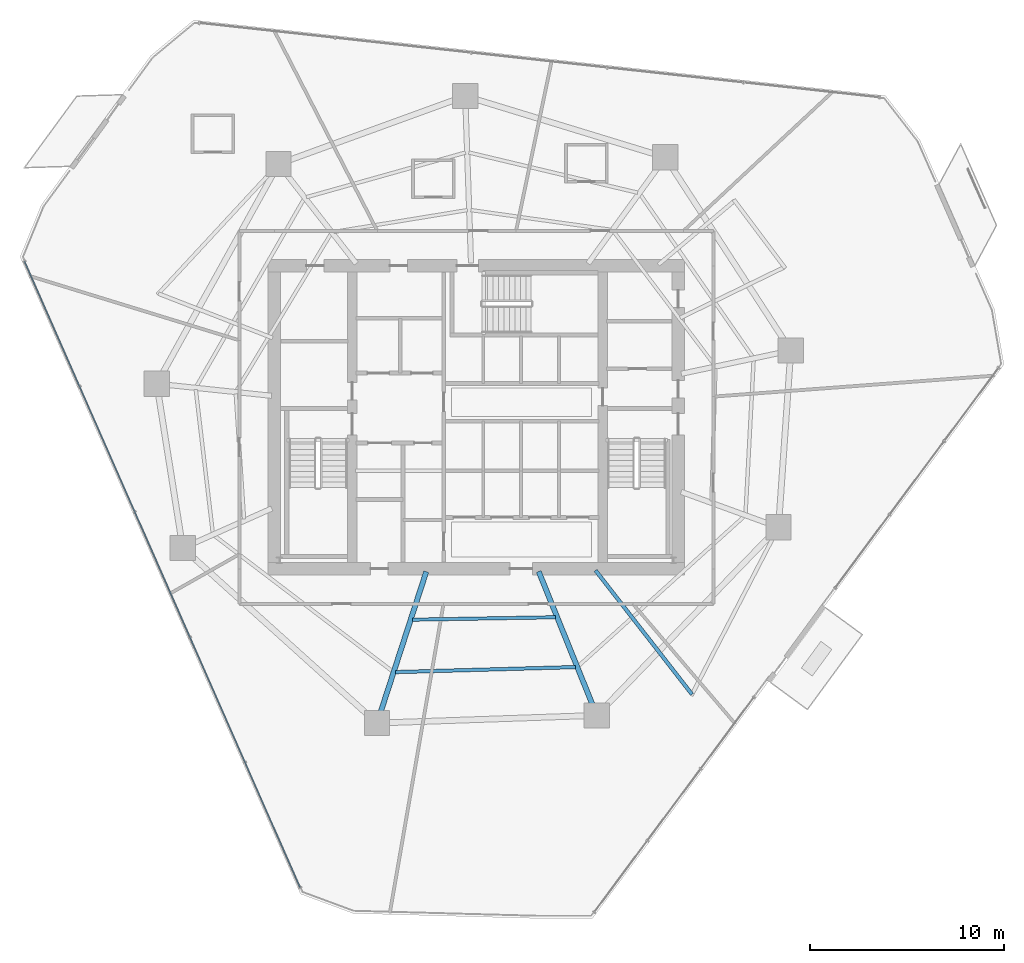
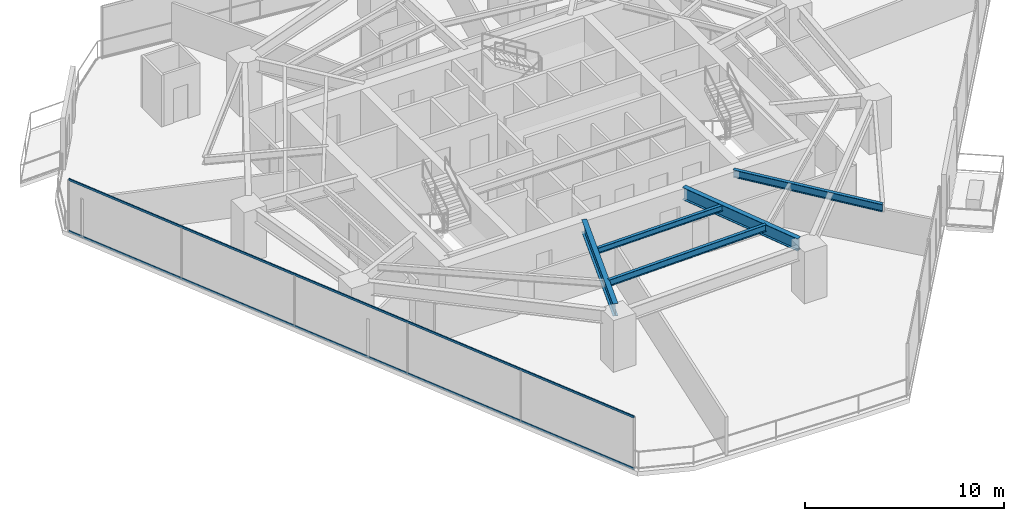
# One storey, part 6 of 28: 5 beams, 2 members, 1 element without a shape of its own.
"""IFC4 building model written with IfcOpenShell, lengths in metres."""

from ifc_helpers import new_model, si_unit, direction, frame, origin, origin_2d, place, context, subcontext, project, spatial, hollow_rectangle, i_section, extrude, material, layer, layer_set, material_profile, profile_set, type_object, element, aggregate, save


model = new_model("IFC4")

# Units and contexts
model_context = context("Model", 3, precision=1e-05, world=origin(), true_north=direction((0.0, 1.0)))
body_context = subcontext(model_context, "Body", "Model", "MODEL_VIEW")
ifc_project = project(units=[si_unit("LENGTHUNIT", "METRE"), si_unit("AREAUNIT", "SQUARE_METRE"), si_unit("VOLUMEUNIT", "CUBIC_METRE"), si_unit("PLANEANGLEUNIT", "RADIAN"), si_unit("MASSUNIT", "GRAM", prefix="KILO")], contexts=[model_context])

# Site, building, storey
site_placement = place(None, origin())
site = spatial("IfcSite", under=ifc_project, at=site_placement, CompositionType="ELEMENT")
building_placement = place(site_placement, origin())
building = spatial("IfcBuilding", under=site, at=building_placement, Name="Qarnah Convention Tower", CompositionType="ELEMENT")
storey_placement = place(building_placement, frame((0.0, 0.0, 44.25)))
storey = spatial("IfcBuildingStorey", under=building, at=storey_placement, Name="L10", CompositionType="ELEMENT", Elevation=44.25)

# Beams
ifc_material_1 = material(Name="Structural steel S355JR", Category="steel")
ifc_material_profile_1 = material_profile(ifc_material_1, i_section(OverallWidth=0.19189453125, OverallDepth=0.464111328125, WebThickness=0.010986328125, FlangeThickness=0.01806640625, at=origin_2d()), Name="W460X89")
ifc_profile_set_1 = profile_set([ifc_material_profile_1], Name="Structural steel S355JR")
beam_type_1 = type_object("IfcBeamType", Name="BM-CANT-W460A", PredefinedType="BEAM", material=ifc_profile_set_1)
beam_1_placement = place(storey_placement, frame((43.3310546875, 18.52099609375, 2.93798828125), z_axis=(0.61429570134, -0.789075909729, 0.0), x_axis=(0.789075909729, 0.61429570134, 0.0)))
element("IfcBeam", 1, at=beam_1_placement, inside=storey, type_object=beam_type_1, Name="L10 beam BM-L10-CNT-03-2", PredefinedType="BEAM", context=body_context, shape_type="SweptSolid", body=[
    extrude(i_section(OverallWidth=0.19189453125, OverallDepth=0.464111328125, WebThickness=0.010986328125, FlangeThickness=0.01806640625, at=origin_2d()), origin(), (0.0, 0.0, 1.0), 8.090576171875),
])
ifc_material_profile_2 = material_profile(ifc_material_1, i_section(OverallWidth=0.172119140625, OverallDepth=0.35595703125, WebThickness=0.007080078125, FlangeThickness=0.011962890625, at=origin_2d()), Name="W360X51")
ifc_profile_set_2 = profile_set([ifc_material_profile_2], Name="Structural steel S355JR")
beam_type_2 = type_object("IfcBeamType", Name="BM-JST-W360", PredefinedType="JOIST", material=ifc_profile_set_2)
beam_2_placement = place(storey_placement, frame((33.905029296875, 15.98193359375, 2.991943359375), z_axis=(0.9998536677, 0.017106816955, 0.0), x_axis=(-0.017106816955, 0.9998536677, 0.0)))
element("IfcBeam", 2, at=beam_2_placement, inside=storey, type_object=beam_type_2, Name="L10 joist BM-L10-IJST-07", PredefinedType="JOIST", context=body_context, shape_type="SweptSolid", body=[
    extrude(i_section(OverallWidth=0.172119140625, OverallDepth=0.35595703125, WebThickness=0.007080078125, FlangeThickness=0.011962890625, at=origin_2d()), origin(), (0.0, 0.0, 1.0), 7.364013671875),
])
ifc_material_profile_3 = material_profile(ifc_material_1, i_section(OverallWidth=0.177978515625, OverallDepth=0.407958984375, WebThickness=0.008056640625, FlangeThickness=0.012939453125, at=origin_2d()), Name="W410X60")
ifc_profile_set_3 = profile_set([ifc_material_profile_3], Name="Structural steel S355JR")
beam_type_3 = type_object("IfcBeamType", Name="BM-JST-W410", PredefinedType="JOIST", material=ifc_profile_set_3)
beam_3_placement = place(storey_placement, frame((33.027099609375, 13.282958984375, 2.966064453125), z_axis=(0.999610394183, 0.027911643461, 0.0), x_axis=(-0.027911643461, 0.999610394183, 0.0)))
element("IfcBeam", 3, at=beam_3_placement, inside=storey, type_object=beam_type_3, Name="L10 joist BM-L10-SJST-07", PredefinedType="JOIST", context=body_context, shape_type="SweptSolid", body=[
    extrude(i_section(OverallWidth=0.177978515625, OverallDepth=0.407958984375, WebThickness=0.008056640625, FlangeThickness=0.012939453125, at=origin_2d()), origin(), (0.0, 0.0, 1.0), 9.280517578125),
])
ifc_material_profile_4 = material_profile(ifc_material_1, i_section(OverallWidth=0.26806640625, OverallDepth=0.760009765625, WebThickness=0.014892578125, FlangeThickness=0.02197265625, at=origin_2d()), Name="W760X185")
ifc_profile_set_4 = profile_set([ifc_material_profile_4], Name="Structural steel S355JR")
beam_type_4 = type_object("IfcBeamType", Name="BM-RAD-W760", PredefinedType="BEAM", material=ifc_profile_set_4)
beam_4_placement = place(storey_placement, frame((34.6201171875, 18.45703125, 2.7900390625), z_axis=(-0.309057625925, -0.951043313345, 0.0), x_axis=(0.951043313345, -0.309057625925, 0.0)))
element("IfcBeam", 4, at=beam_4_placement, inside=storey, type_object=beam_type_4, Name="L10 beam BM-L10-RAD-07", PredefinedType="BEAM", context=body_context, shape_type="SweptSolid", body=[
    extrude(i_section(OverallWidth=0.26806640625, OverallDepth=0.760009765625, WebThickness=0.014892578125, FlangeThickness=0.02197265625, at=origin_2d()), origin(), (0.0, 0.0, 1.0), 7.568603515625),
])
beam_5_placement = place(storey_placement, frame((40.407958984375, 18.4609375, 2.7900390625), z_axis=(0.374586487969, -0.927191977441, 0.0), x_axis=(0.927191977441, 0.374586487969, 0.0)))
element("IfcBeam", 5, at=beam_5_placement, inside=storey, type_object=beam_type_4, Name="L10 beam BM-L10-RAD-08", PredefinedType="BEAM", context=body_context, shape_type="SweptSolid", body=[
    extrude(i_section(OverallWidth=0.26806640625, OverallDepth=0.760009765625, WebThickness=0.014892578125, FlangeThickness=0.02197265625, at=origin_2d()), origin(), (0.0, 0.0, 1.0), 7.357666015625),
])

# Curtain wall, members
ifc_material_2 = material(Name="Tempered Low-E dark glass", Category="glass")
ifc_layer = layer(ifc_material_2, 0.16796875)
ifc_layer_set = layer_set([ifc_layer], Name="Tempered Low-E dark glass")
curtain_wall_type = type_object("IfcCurtainWallType", Name="CWS-01", PredefinedType="NOTDEFINED", material=ifc_layer_set)
curtain_wall_placement = place(storey_placement, origin())
curtain_wall = element("IfcCurtainWall", 6, at=curtain_wall_placement, inside=storey, type_object=curtain_wall_type, Name="L10 unitised curtain wall CW-L10-F1", PredefinedType="NOTDEFINED")
ifc_material_3 = material(Name="Black anodised aluminium", Category="aluminium")
ifc_material_profile_5 = material_profile(ifc_material_3, hollow_rectangle(XDim=0.06005859375, YDim=0.1298828125, WallThickness=0.00390625, at=origin_2d()), Name="TRN-60X130")
ifc_profile_set_5 = profile_set([ifc_material_profile_5], Name="Black anodised aluminium")
member_type = type_object("IfcMemberType", Name="TRN-T1", PredefinedType="USERDEFINED", material=ifc_profile_set_5)
member_1_placement = place(storey_placement, frame((28.12890625, 2.180908203125, 0.0), z_axis=(-0.402895333985, 0.915246059731, 0.0), x_axis=(-0.915246059731, -0.402895333985, 0.0)))
member_1 = element("IfcMember", 7, at=member_1_placement, type_object=member_type, Name="CW-L10-F1 transom 1", ObjectType="TRANSOM", PredefinedType="USERDEFINED", context=body_context, shape_type="SweptSolid", body=[
    extrude(hollow_rectangle(XDim=0.06005859375, YDim=0.1298828125, WallThickness=0.00390625, at=origin_2d()), origin(), (0.0, 0.0, 1.0), 35.237548828125),
])
member_2_placement = place(storey_placement, frame((28.12890625, 2.180908203125, 3.169921875), z_axis=(-0.402895333985, 0.915246059731, 0.0), x_axis=(-0.915246059731, -0.402895333985, 0.0)))
member_2 = element("IfcMember", 8, at=member_2_placement, type_object=member_type, Name="CW-L10-F1 transom 2", ObjectType="TRANSOM", PredefinedType="USERDEFINED", context=body_context, shape_type="SweptSolid", body=[
    extrude(hollow_rectangle(XDim=0.06005859375, YDim=0.1298828125, WallThickness=0.00390625, at=origin_2d()), origin(), (0.0, 0.0, 1.0), 35.237548828125),
])
aggregate(curtain_wall, [member_1, member_2])

save(model, "model.ifc")
